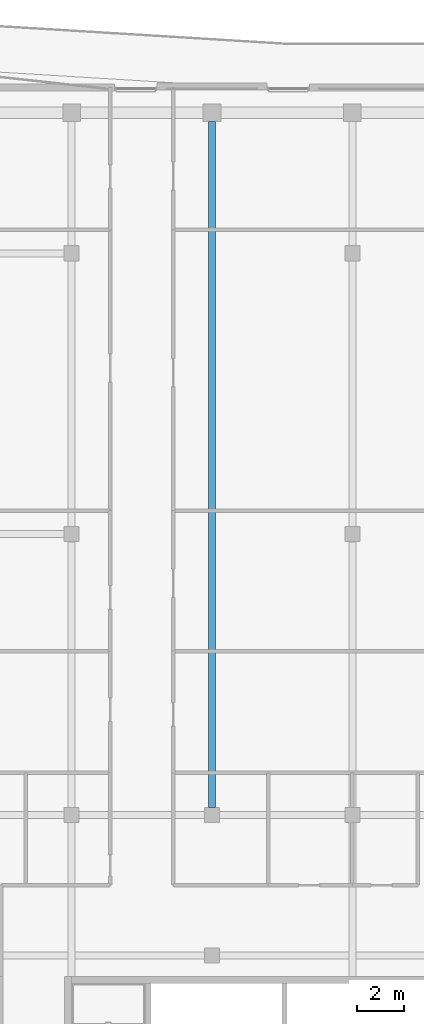
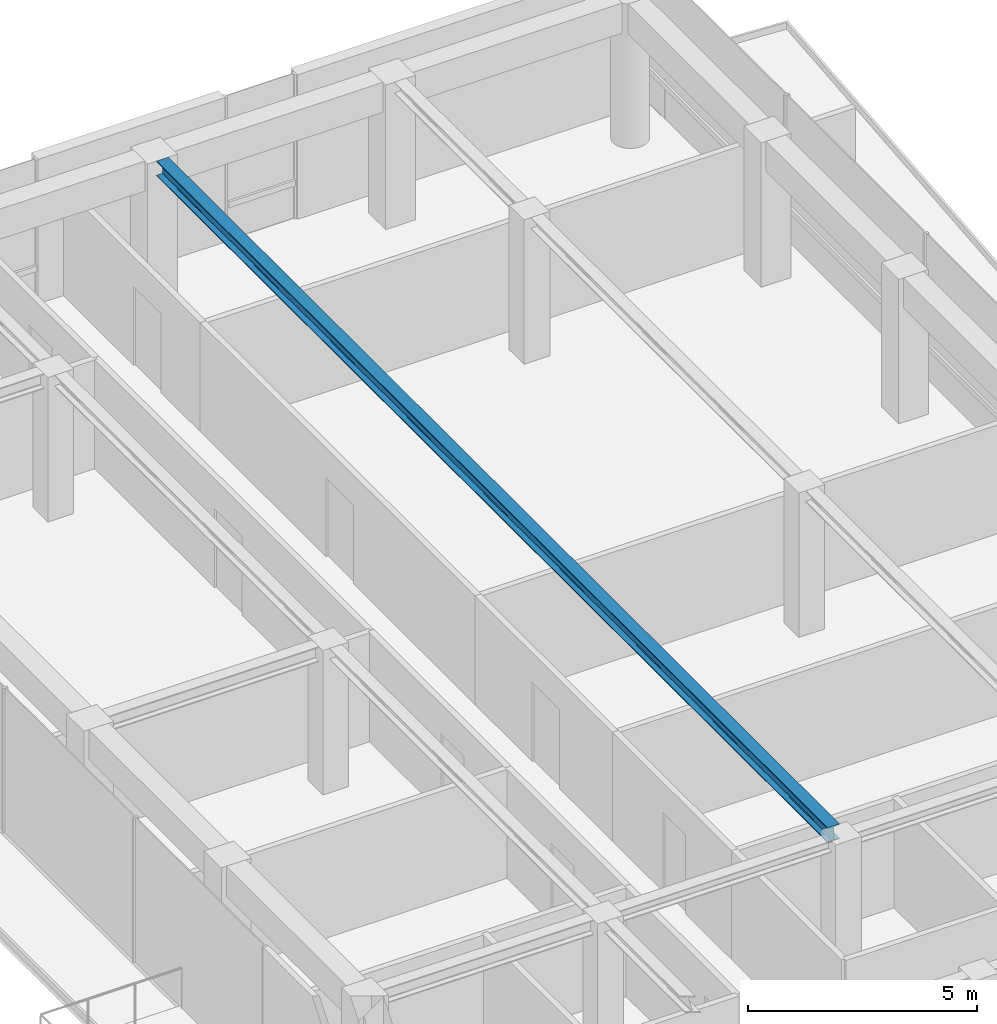
# One storey, part 10 of 18: 1 beam.
"""IFC4 building model written with IfcOpenShell, lengths in metres."""

from ifc_helpers import new_model, si_unit, direction, frame, origin, origin_2d, place, context, subcontext, project, spatial, i_section, extrude, material, material_profile, profile_set, type_object, element, save


model = new_model("IFC4")

# Units and contexts
model_context = context("Model", 3, precision=1e-05, world=origin(), true_north=direction((0.0, 1.0)))
body_context = subcontext(model_context, "Body", "Model", "MODEL_VIEW")
ifc_project = project(units=[si_unit("LENGTHUNIT", "METRE"), si_unit("AREAUNIT", "SQUARE_METRE"), si_unit("VOLUMEUNIT", "CUBIC_METRE"), si_unit("PLANEANGLEUNIT", "RADIAN"), si_unit("MASSUNIT", "GRAM", prefix="KILO")], contexts=[model_context])

# Site, building, storey
site_placement = place(None, origin())
site = spatial("IfcSite", under=ifc_project, at=site_placement, CompositionType="ELEMENT")
building_placement = place(site_placement, origin())
building = spatial("IfcBuilding", under=site, at=building_placement, Name="Welwitschia Terrace Campus", CompositionType="ELEMENT")
storey_placement = place(building_placement, frame((0.0, 0.0, 272.60009765625)))
storey = spatial("IfcBuildingStorey", under=building, at=storey_placement, Name="L60", CompositionType="ELEMENT", Elevation=272.60009765625)

# Beam
ifc_material = material(Name="Steel S355", Category="steel")
ifc_material_profile = material_profile(ifc_material, i_section(OverallWidth=0.300048828125, OverallDepth=0.39990234375, WebThickness=0.013427734375, FlangeThickness=0.02392578125, FilletRadius=0.027099609375, at=origin_2d()))
ifc_profile_set = profile_set([ifc_material_profile], Name="Steel S355")
beam_type = type_object("IfcBeamType", Name="Primary beam HE 400 B", PredefinedType="BEAM", material=ifc_profile_set)
beam_placement = place(storey_placement, frame((12.0, 61.62451171875, 3.64990234375), z_axis=(0.0, -1.0, 0.0), x_axis=(1.0, 0.0, 0.0)))
element("IfcBeam", 1, at=beam_placement, inside=storey, type_object=beam_type, Name="Primary beam PB6", PredefinedType="BEAM", context=body_context, shape_type="SweptSolid", body=[
    extrude(i_section(OverallWidth=0.300048828125, OverallDepth=0.39990234375, WebThickness=0.013427734375, FlangeThickness=0.02392578125, FilletRadius=0.027099609375, at=origin_2d()), origin(), (0.0, 0.0, 1.0), 29.299072265625),
])

save(model, "model.ifc")
